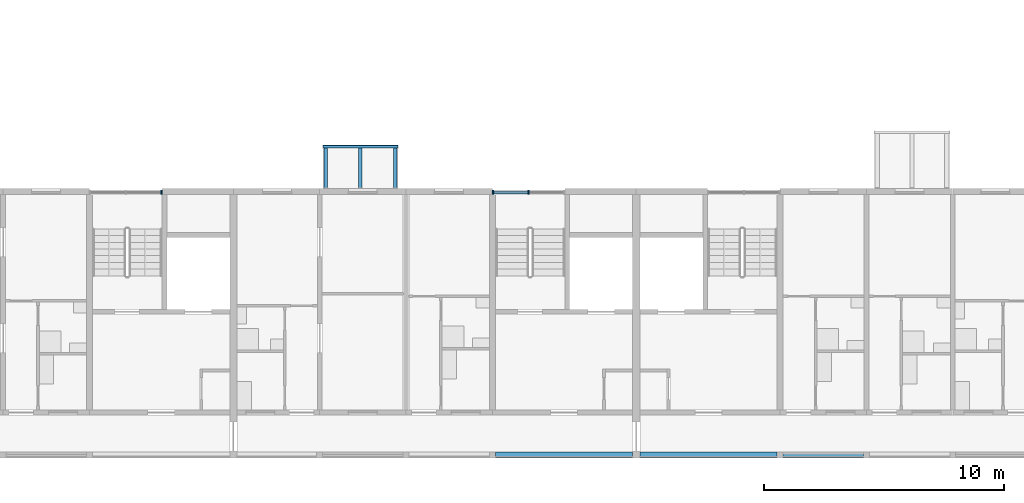
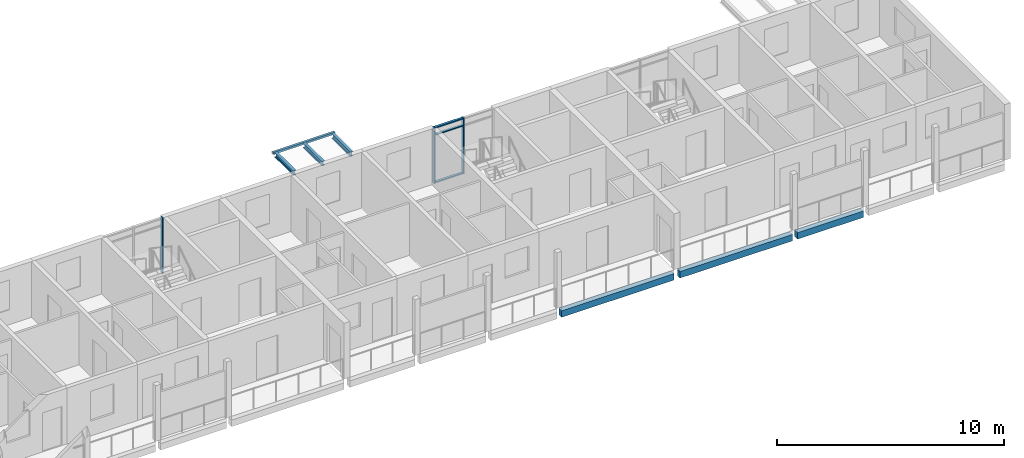
# One storey, part 9 of 94: 7 beams, 6 members, 2 elements without a shape of their own.
"""IFC4 building model written with IfcOpenShell, lengths in metres."""

from ifc_helpers import new_model, si_unit, direction, frame, origin, origin_2d, place, context, subcontext, project, spatial, rectangle, hollow_rectangle, i_section, extrude, material, material_profile, profile_set, type_object, element, aggregate, save


model = new_model("IFC4")

# Units and contexts
model_context = context("Model", 3, precision=1e-05, world=origin(), true_north=direction((0.0, 1.0)))
body_context = subcontext(model_context, "Body", "Model", "MODEL_VIEW")
ifc_project = project(units=[si_unit("LENGTHUNIT", "METRE"), si_unit("AREAUNIT", "SQUARE_METRE"), si_unit("VOLUMEUNIT", "CUBIC_METRE"), si_unit("PLANEANGLEUNIT", "RADIAN"), si_unit("MASSUNIT", "GRAM", prefix="KILO")], contexts=[model_context])

# Site, building, storey
site_placement = place(None, origin())
site = spatial("IfcSite", under=ifc_project, at=site_placement, CompositionType="ELEMENT")
building_placement = place(site_placement, origin())
building = spatial("IfcBuilding", under=site, at=building_placement, Name="Ridgestep Commons", CompositionType="ELEMENT")
storey_placement = place(building_placement, frame((0.0, 0.0, 21.0)))
storey = spatial("IfcBuildingStorey", under=building, at=storey_placement, Name="L07", CompositionType="ELEMENT", Elevation=21.0)

# Beams
ifc_material_1 = material(Name="Precast concrete C40/50", Category="concrete")
ifc_material_profile_1 = material_profile(ifc_material_1, rectangle(XDim=0.25, YDim=0.35009765625, at=origin_2d()), Name="PC 250x350")
ifc_profile_set_1 = profile_set([ifc_material_profile_1], Name="Precast concrete C40/50")
beam_type_1 = type_object("IfcBeamType", Name="Loggia edge beam 250 x 350", PredefinedType="SPANDREL", material=ifc_profile_set_1)
for number, where, z_axis, x_axis, name in (
    (1, (90.125, 11.875, -0.375), (1.0, 0.0, 0.0), (0.0, 1.0, 0.0), "Loggia edge beam A5C L07"),
    (2, (96.14990234375, 11.875, -0.375), (1.0, 0.0, 0.0), (0.0, 1.0, 0.0), "Loggia edge beam A6C L07"),
):
    element("IfcBeam", number, at=place(storey_placement, frame(where, z_axis=z_axis, x_axis=x_axis)), inside=storey, type_object=beam_type_1, Name=name, PredefinedType="SPANDREL", context=body_context, shape_type="SweptSolid", body=[
        extrude(rectangle(XDim=0.25, YDim=0.35009765625, at=origin_2d()), origin(), (0.0, 0.0, 1.0), 5.72509765625),
    ])
beam_1_placement = place(storey_placement, frame((102.125, 11.875, -0.375), z_axis=(1.0, 0.0, 0.0), x_axis=(0.0, 1.0, 0.0)))
element("IfcBeam", 3, at=beam_1_placement, inside=storey, type_object=beam_type_1, Name="Loggia edge beam A6T3 L07", PredefinedType="SPANDREL", context=body_context, shape_type="SweptSolid", body=[
    extrude(rectangle(XDim=0.25, YDim=0.35009765625, at=origin_2d()), origin(), (0.0, 0.0, 1.0), 3.35009765625),
])

# Curtain wall, member
ifc_material_2 = material(Name="Aluminium 6063-T6 and glass", Category="aluminium")
curtain_wall_type = type_object("IfcCurtainWallType", Name="Curtain wall stair strip", PredefinedType="NOTDEFINED", material=ifc_material_2)
curtain_wall_1_placement = place(storey_placement, origin())
curtain_wall_1 = element("IfcCurtainWall", 4, at=curtain_wall_1_placement, inside=storey, type_object=curtain_wall_type, Name="Curtain wall A4C level 07", PredefinedType="NOTDEFINED")
ifc_material_3 = material(Name="Aluminium 6063-T6", Category="aluminium")
ifc_material_profile_2 = material_profile(ifc_material_3, rectangle(XDim=0.159912109375, YDim=0.06005859375, at=origin_2d()), Name="Mullion 60 x 160")
ifc_profile_set_2 = profile_set([ifc_material_profile_2], Name="Aluminium 6063-T6")
member_type_1 = type_object("IfcMemberType", Name="Mullion 60 x 160", PredefinedType="MULLION", material=ifc_profile_set_2)
member_1_placement = place(storey_placement, frame((76.195068359375, 22.830078125, 0.0), z_axis=(0.0, 0.0, 1.0), x_axis=(0.0, 1.0, 0.0)))
member_1 = element("IfcMember", 5, at=member_1_placement, type_object=member_type_1, Name="CW1 mullion 3", PredefinedType="MULLION", context=body_context, shape_type="SweptSolid", body=[
    extrude(rectangle(XDim=0.159912109375, YDim=0.06005859375, at=origin_2d()), origin(), (0.0, 0.0, 1.0), 3.0),
])
aggregate(curtain_wall_1, [member_1])

# Curtain wall, members
curtain_wall_2_placement = place(storey_placement, origin())
curtain_wall_2 = element("IfcCurtainWall", 6, at=curtain_wall_2_placement, inside=storey, type_object=curtain_wall_type, Name="Curtain wall A5C level 07", PredefinedType="NOTDEFINED")
member_2_placement = place(storey_placement, frame((90.030029296875, 22.830078125, 0.0), z_axis=(0.0, 0.0, 1.0), x_axis=(0.0, 1.0, 0.0)))
member_2 = element("IfcMember", 7, at=member_2_placement, type_object=member_type_1, Name="CW1 mullion 1", PredefinedType="MULLION", context=body_context, shape_type="SweptSolid", body=[
    extrude(rectangle(XDim=0.159912109375, YDim=0.06005859375, at=origin_2d()), origin(), (0.0, 0.0, 1.0), 3.0),
])
member_3_placement = place(storey_placement, frame((91.512451171875, 22.830078125, 0.0), z_axis=(0.0, 0.0, 1.0), x_axis=(0.0, 1.0, 0.0)))
member_3 = element("IfcMember", 8, at=member_3_placement, type_object=member_type_1, Name="CW1 mullion 2", PredefinedType="MULLION", context=body_context, shape_type="SweptSolid", body=[
    extrude(rectangle(XDim=0.159912109375, YDim=0.06005859375, at=origin_2d()), origin(), (0.0, 0.0, 1.0), 3.0),
])
ifc_material_4 = material(Name="Aluminium 6063-T6", Category="aluminium")
ifc_material_profile_3 = material_profile(ifc_material_4, rectangle(XDim=0.1201171875, YDim=0.06005859375, at=origin_2d()), Name="Transom 60 x 120")
ifc_profile_set_3 = profile_set([ifc_material_profile_3], Name="Aluminium 6063-T6")
member_type_2 = type_object("IfcMemberType", Name="Transom 60 x 120", PredefinedType="USERDEFINED", material=ifc_profile_set_3)
member_4_placement = place(storey_placement, frame((90.06005859375, 22.830078125, 0.030029296875), z_axis=(1.0, 0.0, 0.0), x_axis=(0.0, 1.0, 0.0)))
member_4 = element("IfcMember", 9, at=member_4_placement, type_object=member_type_2, Name="CW1 transom 1.1", ObjectType="TRANSOM", PredefinedType="USERDEFINED", context=body_context, shape_type="SweptSolid", body=[
    extrude(rectangle(XDim=0.1201171875, YDim=0.06005859375, at=origin_2d()), origin(), (0.0, 0.0, 1.0), 1.42236328125),
])
member_5_placement = place(storey_placement, frame((90.06005859375, 22.830078125, 2.590087890625), z_axis=(1.0, 0.0, 0.0), x_axis=(0.0, 1.0, 0.0)))
member_5 = element("IfcMember", 10, at=member_5_placement, type_object=member_type_2, Name="CW1 transom 1.2", ObjectType="TRANSOM", PredefinedType="USERDEFINED", context=body_context, shape_type="SweptSolid", body=[
    extrude(rectangle(XDim=0.1201171875, YDim=0.06005859375, at=origin_2d()), origin(), (0.0, 0.0, 1.0), 1.42236328125),
])
member_6_placement = place(storey_placement, frame((90.06005859375, 22.830078125, 2.969970703125), z_axis=(1.0, 0.0, 0.0), x_axis=(0.0, 1.0, 0.0)))
member_6 = element("IfcMember", 11, at=member_6_placement, type_object=member_type_2, Name="CW1 transom 1.3", ObjectType="TRANSOM", PredefinedType="USERDEFINED", context=body_context, shape_type="SweptSolid", body=[
    extrude(rectangle(XDim=0.1201171875, YDim=0.06005859375, at=origin_2d()), origin(), (0.0, 0.0, 1.0), 1.42236328125),
])
aggregate(curtain_wall_2, [member_2, member_3, member_4, member_5, member_6])

# Beams
ifc_material_5 = material(Name="Weathering steel S355J2W", Category="steel")
ifc_material_profile_4 = material_profile(ifc_material_5, i_section(OverallWidth=0.14599609375, OverallDepth=0.25146484375, WebThickness=0.006103515625, FlangeThickness=0.008544921875, FilletRadius=0.007568359375, at=origin_2d()), Name="UB 254x146x31")
ifc_profile_set_4 = profile_set([ifc_material_profile_4], Name="Weathering steel S355J2W")
beam_type_2 = type_object("IfcBeamType", Name="Tray arm UB 254x146x31", PredefinedType="BEAM", material=ifc_profile_set_4)
for number, where, z_axis, x_axis, name in (
    (12, (83.050048828125, 23.014892578125, 2.8642578125), (0.0, 1.0, 0.0), (-1.0, 0.0, 0.0), "Tray arm A5T2-08.1"),
    (13, (84.5, 23.014892578125, 2.8642578125), (0.0, 1.0, 0.0), (-1.0, 0.0, 0.0), "Tray arm A5T2-08.2"),
    (14, (85.949951171875, 23.014892578125, 2.8642578125), (0.0, 1.0, 0.0), (-1.0, 0.0, 0.0), "Tray arm A5T2-08.3"),
):
    element("IfcBeam", number, at=place(storey_placement, frame(where, z_axis=z_axis, x_axis=x_axis)), inside=storey, type_object=beam_type_2, Name=name, PredefinedType="BEAM", context=body_context, shape_type="SweptSolid", body=[
        extrude(i_section(OverallWidth=0.14599609375, OverallDepth=0.25146484375, WebThickness=0.006103515625, FlangeThickness=0.008544921875, FilletRadius=0.007568359375, at=origin_2d()), origin(), (0.0, 0.0, 1.0), 1.6650390625),
    ])
ifc_material_6 = material(Name="Weathering steel S355J2W", Category="steel")
ifc_material_profile_5 = material_profile(ifc_material_6, hollow_rectangle(XDim=0.1201171875, YDim=0.1201171875, WallThickness=0.00634765625, InnerFilletRadius=0.00634765625, OuterFilletRadius=0.009521484375, at=origin_2d()), Name="SHS 120x120x6.3")
ifc_profile_set_5 = profile_set([ifc_material_profile_5], Name="Weathering steel S355J2W")
beam_type_3 = type_object("IfcBeamType", Name="Tray edge member SHS 120x120x6.3", PredefinedType="BEAM", material=ifc_profile_set_5)
beam_2_placement = place(storey_placement, frame((82.929931640625, 24.739990234375, 2.929931640625), z_axis=(1.0, 0.0, 0.0), x_axis=(0.0, 0.0, 1.0)))
element("IfcBeam", 15, at=beam_2_placement, inside=storey, type_object=beam_type_3, Name="Tray edge member A5T2-08", PredefinedType="BEAM", context=body_context, shape_type="SweptSolid", body=[
    extrude(hollow_rectangle(XDim=0.1201171875, YDim=0.1201171875, WallThickness=0.00634765625, InnerFilletRadius=0.00634765625, OuterFilletRadius=0.009521484375, at=origin_2d()), origin(), (0.0, 0.0, 1.0), 3.14013671875),
])

save(model, "model.ifc")
